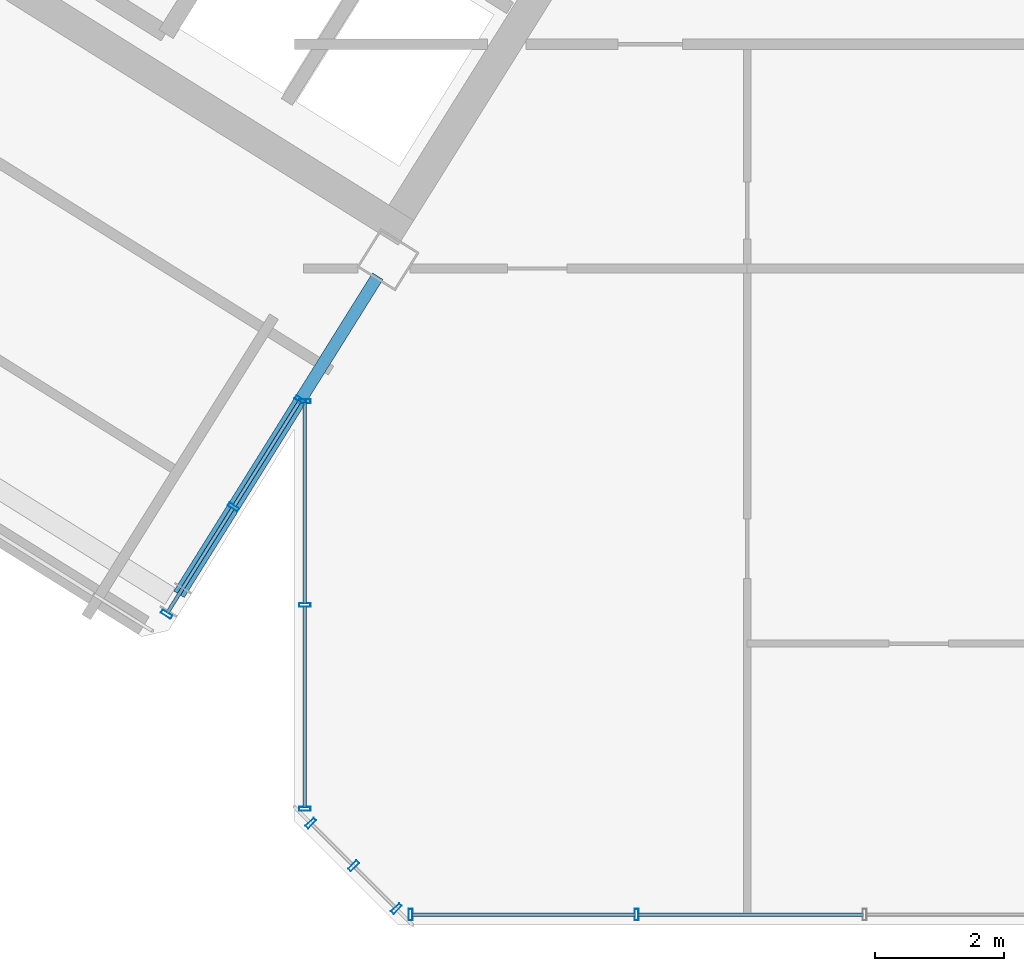
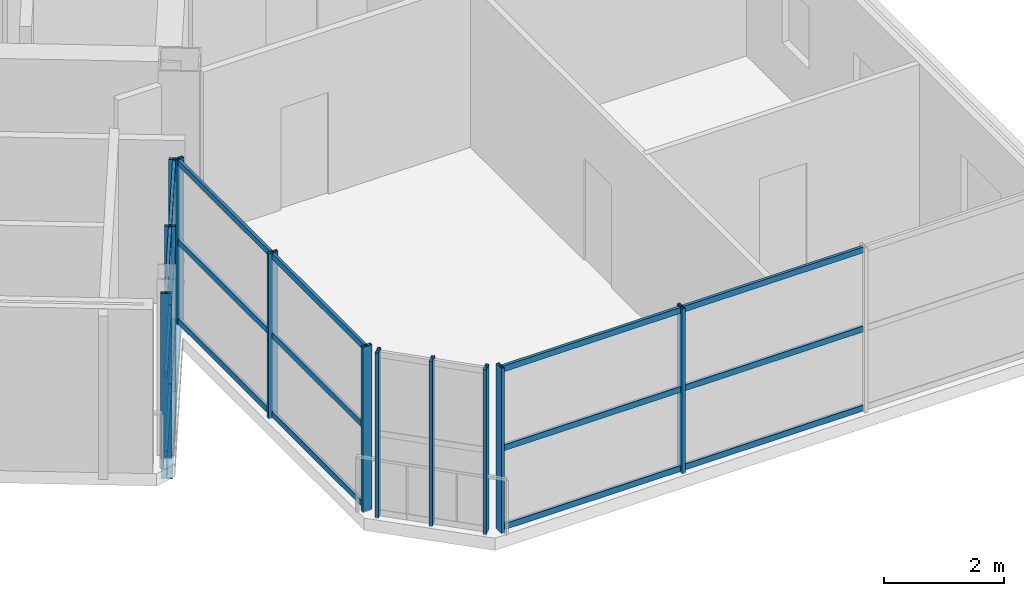
# One storey, part 2 of 14: 29 members, 1 beam, 4 elements without a shape of their own.
"""IFC4 building model written with IfcOpenShell, lengths in metres."""

import ifcopenshell
import ifcopenshell.guid

model = None  # the IFC model being written
_history = None  # IfcOwnerHistory: only IFC2X3 demands one
_inside = {}  # id of a spatial element -> (the spatial element, [elements in it])
_under = {}  # id of a project, library or spatial element -> (it, [spatial elements below it])
_declared = {}  # id of a project -> (the project, [libraries it declares])
_typed = {}  # id of a type object -> (the type object, [elements of that type])
_made_of = {}  # id of a material, layer set ... -> (it, [elements and type objects made of it])


def new_model(schema):
    """Start an empty IFC model of exactly this schema.

    Asked for "IFC4X3", IfcOpenShell would pick the latest addendum, in which some entities
    have other attributes; the version numbers below select the first issue.
    IFC2X3 requires an IfcOwnerHistory on every rooted entity: one is made here for all.
    """
    global model, _history
    if schema == "IFC4X3":
        model = ifcopenshell.file(schema_version=(4, 3, 0, 0))
    else:
        model = ifcopenshell.file(schema=schema)
    _inside.clear()
    _under.clear()
    _declared.clear()
    _typed.clear()
    _made_of.clear()
    _history = None
    if model.schema == "IFC2X3":
        org = make("IfcOrganization", Name="unknown")
        user = make(
            "IfcPersonAndOrganization",
            ThePerson=make("IfcPerson", FamilyName="unknown"),
            TheOrganization=org,
        )
        app = make(
            "IfcApplication",
            ApplicationDeveloper=org,
            Version="unknown",
            ApplicationFullName="unknown",
            ApplicationIdentifier="unknown",
        )
        _history = make(
            "IfcOwnerHistory",
            OwningUser=user,
            OwningApplication=app,
            ChangeAction="ADDED",
            CreationDate=0,
        )
    return model


def make(cls, **values):
    """One entity of the class cls with the attributes given. An attribute that is None is left unset."""
    return model.create_entity(
        cls, **{name: value for name, value in values.items() if value is not None}
    )


def rooted(cls, **values):
    """An entity with a GlobalId (a new one), such as an element, a storey or a relation."""
    return make(cls, GlobalId=ifcopenshell.guid.new(), OwnerHistory=_history, **values)


def si_unit(unit_type, name, prefix=None):
    """IfcSIUnit, for example si_unit("LENGTHUNIT", "METRE", prefix="MILLI")."""
    return make("IfcSIUnit", UnitType=unit_type, Prefix=prefix, Name=name)


def assignment(units):
    """IfcUnitAssignment: the units of a project."""
    return None if units is None else make("IfcUnitAssignment", Units=units)


def point(xyz):
    """IfcCartesianPoint."""
    return None if xyz is None else make("IfcCartesianPoint", Coordinates=xyz)


def direction(xyz):
    """IfcDirection."""
    return None if xyz is None else make("IfcDirection", DirectionRatios=xyz)


def frame(location, z_axis=None, x_axis=None):
    """IfcAxis2Placement3D, a coordinate frame: its origin and axes. An axis left out is left unset."""
    return make(
        "IfcAxis2Placement3D",
        Location=point(location),
        Axis=direction(z_axis),
        RefDirection=direction(x_axis),
    )


def frame_2d(location, x_axis=None):
    """IfcAxis2Placement2D, a coordinate frame in the plane: its origin and x axis."""
    return make(
        "IfcAxis2Placement2D", Location=point(location), RefDirection=direction(x_axis)
    )


def origin():
    """The frame at (0, 0, 0) with its axes left unset."""
    return frame((0.0, 0.0, 0.0))


def origin_2d():
    """The frame at (0, 0) in the plane with its x axis left unset."""
    return frame_2d((0.0, 0.0))


def place(relative_to, where):
    """IfcLocalPlacement: puts the frame where relative to a parent placement (None: the world)."""
    return make(
        "IfcLocalPlacement", PlacementRelTo=relative_to, RelativePlacement=where
    )


def context(
    kind, dimensions, precision=None, world=None, true_north=None, identifier=None
):
    """IfcGeometricRepresentationContext, for example the 3D "Model" context."""
    return make(
        "IfcGeometricRepresentationContext",
        ContextIdentifier=identifier,
        ContextType=kind,
        CoordinateSpaceDimension=dimensions,
        Precision=precision,
        WorldCoordinateSystem=world,
        TrueNorth=true_north,
    )


def subcontext(parent, identifier, kind, view, scale=None):
    """IfcGeometricRepresentationSubContext, for example "Body" below "Model"."""
    return make(
        "IfcGeometricRepresentationSubContext",
        ContextIdentifier=identifier,
        ContextType=kind,
        ParentContext=parent,
        TargetScale=scale,
        TargetView=view,
    )


def project(units=None, contexts=None):
    """IfcProject with its units and contexts."""
    return rooted(
        "IfcProject",
        Name="project",
        RepresentationContexts=contexts,
        UnitsInContext=assignment(units),
    )


def spatial(cls, under=None, at=None, **own):
    """A site, building, storey or space (cls), placed at a placement, below another one or the project."""
    s = rooted(cls, ObjectPlacement=at, **own)
    if under is not None:
        _under.setdefault(under.id(), (under, []))[1].append(s)
    return s


def profile(cls, at=None, kind="AREA", **sizes):
    """A parametric profile (cls). Its sizes go by their IFC names, for example OverallWidth=200.0."""
    return make(cls, ProfileType=kind, Position=at, **sizes)


def hollow_rectangle(**sizes):
    """IfcRectangleHollowProfileDef."""
    return profile("IfcRectangleHollowProfileDef", **sizes)


def i_section(**sizes):
    """IfcIShapeProfileDef."""
    return profile("IfcIShapeProfileDef", **sizes)


def extrude(swept, where, along, depth):
    """IfcExtrudedAreaSolid: the profile swept, set in the frame where, extruded along a direction by depth."""
    return make(
        "IfcExtrudedAreaSolid",
        SweptArea=swept,
        Position=where,
        ExtrudedDirection=direction(along),
        Depth=depth,
    )


def shape(context_of_items, identifier, shape_type, items):
    """IfcShapeRepresentation: the items that make up one representation, for example the "Body"."""
    return make(
        "IfcShapeRepresentation",
        ContextOfItems=context_of_items,
        RepresentationIdentifier=identifier,
        RepresentationType=shape_type,
        Items=items,
    )


def source(mapping_origin, context_of_items, identifier, shape_type, items):
    """IfcRepresentationMap: a shape defined once, which mapped items show again and again."""
    return make(
        "IfcRepresentationMap",
        MappingOrigin=mapping_origin,
        MappedRepresentation=shape(context_of_items, identifier, shape_type, items),
    )


def transform(
    local_origin,
    x_axis=None,
    y_axis=None,
    z_axis=None,
    scale=None,
    scale2=None,
    scale3=None,
    uniform=True,
):
    """IfcCartesianTransformationOperator3D, or its non-uniform kind. x_axis, y_axis, z_axis: its Axis1, 2, 3."""
    if uniform:
        return make(
            "IfcCartesianTransformationOperator3D",
            Axis1=direction(x_axis),
            Axis2=direction(y_axis),
            LocalOrigin=point(local_origin),
            Scale=scale,
            Axis3=direction(z_axis),
        )
    return make(
        "IfcCartesianTransformationOperator3DnonUniform",
        Axis1=direction(x_axis),
        Axis2=direction(y_axis),
        LocalOrigin=point(local_origin),
        Scale=scale,
        Axis3=direction(z_axis),
        Scale2=scale2,
        Scale3=scale3,
    )


def mapped(mapping_source, mapping_target):
    """IfcMappedItem: shows the shape of a source again, moved by a transform."""
    return make(
        "IfcMappedItem", MappingSource=mapping_source, MappingTarget=mapping_target
    )


def material(Name=None, Category=None):
    """IfcMaterial."""
    return make("IfcMaterial", Name=Name, Category=Category)


def material_profile(
    of_material, cross_section, Name=None, Category=None, Priority=None
):
    """IfcMaterialProfile: a cross section and its material."""
    return make(
        "IfcMaterialProfile",
        Name=Name,
        Material=of_material,
        Profile=cross_section,
        Priority=Priority,
        Category=Category,
    )


def profile_set(profiles, Name=None, composite=None):
    """IfcMaterialProfileSet."""
    return make(
        "IfcMaterialProfileSet",
        Name=Name,
        MaterialProfiles=profiles,
        CompositeProfile=composite,
    )


def made_of(thing, what):
    """Note that an element or type object is made of a material, layer set ...; save() writes the relation."""
    if what is not None:
        _made_of.setdefault(what.id(), (what, []))[1].append(thing)
    return thing


def type_object(cls, material=None, **own):
    """A type object (cls), such as IfcWallType, which elements share."""
    return made_of(rooted(cls, **own), material)


def element(
    cls,
    number,
    at=None,
    inside=None,
    cuts=None,
    type_object=None,
    material=None,
    context=None,
    identifier="Body",
    shape_type=None,
    held_by="IfcProductDefinitionShape",
    body=None,
    shapes=None,
    **own,
):
    """One element of the class cls, such as IfcWall. Its Tag is "e" and its number.

    at: its placement. inside: the storey or other place that contains it. cuts: it is an
    opening in that element (IfcRelVoidsElement). A single representation is given by context,
    identifier, shape_type and body (its items); several are given by shapes. held_by: the class
    of the entity that holds the representations. save() writes the other relations.
    """
    e = rooted(cls, Tag="e%d" % number, ObjectPlacement=at, **own)
    if body is not None:
        shapes = [shape(context, identifier, shape_type, body)]
    if shapes is not None:
        e.Representation = make(held_by, Representations=shapes)
    if inside is not None:
        _inside.setdefault(inside.id(), (inside, []))[1].append(e)
    if cuts is not None:
        rooted(
            "IfcRelVoidsElement", RelatingBuildingElement=cuts, RelatedOpeningElement=e
        )
    if type_object is not None:
        _typed.setdefault(type_object.id(), (type_object, []))[1].append(e)
    return made_of(e, material)


def aggregate(whole, parts):
    """IfcRelAggregates: a whole, such as a stair, and the parts it consists of."""
    return rooted("IfcRelAggregates", RelatingObject=whole, RelatedObjects=parts)


def save(model, path):
    """Write the relations noted so far, then the file.

    IfcRelAggregates (storeys below a building ...), IfcRelContainedInSpatialStructure (elements
    in a storey), IfcRelDefinesByType, IfcRelAssociatesMaterial and IfcRelDeclares: one each for
    every whole, place, type object, material and project.
    """
    for whole, parts in _under.values():
        aggregate(whole, parts)
    for where, things in _inside.values():
        rooted(
            "IfcRelContainedInSpatialStructure",
            RelatedElements=things,
            RelatingStructure=where,
        )
    for kind, things in _typed.values():
        rooted("IfcRelDefinesByType", RelatedObjects=things, RelatingType=kind)
    for what, things in _made_of.values():
        rooted("IfcRelAssociatesMaterial", RelatedObjects=things, RelatingMaterial=what)
    for by, libraries in _declared.values():
        rooted("IfcRelDeclares", RelatingContext=by, RelatedDefinitions=libraries)
    model.write(path)


model = new_model("IFC4")

# Units and contexts
model_context = context("Model", 3, precision=1e-05, world=origin(), true_north=direction((0.0, 1.0)))
body_context = subcontext(model_context, "Body", "Model", "MODEL_VIEW")
ifc_project = project(units=[si_unit("LENGTHUNIT", "METRE"), si_unit("AREAUNIT", "SQUARE_METRE"), si_unit("VOLUMEUNIT", "CUBIC_METRE"), si_unit("PLANEANGLEUNIT", "RADIAN"), si_unit("MASSUNIT", "GRAM", prefix="KILO")], contexts=[model_context])

# Site, building, storey
site_placement = place(None, origin())
site = spatial("IfcSite", under=ifc_project, at=site_placement, CompositionType="ELEMENT")
building_placement = place(site_placement, origin())
building = spatial("IfcBuilding", under=site, at=building_placement, Name="Tlacorven Tower", CompositionType="ELEMENT")
storey_placement = place(building_placement, frame((0.0, 0.0, 284.39990234375)))
storey = spatial("IfcBuildingStorey", under=building, at=storey_placement, Name="L72", CompositionType="ELEMENT", Elevation=284.39990234375)

# Beam
ifc_material_1 = material(Name="Steel S355J2", Category="steel")
ifc_material_profile_1 = material_profile(ifc_material_1, i_section(OverallWidth=0.18994140625, OverallDepth=0.449951171875, WebThickness=0.009521484375, FlangeThickness=0.0146484375, at=origin_2d()), Name="IPE 450")
ifc_profile_set_1 = profile_set([ifc_material_profile_1], Name="Steel S355J2")
beam_type = type_object("IfcBeamType", Name="BM-TWR-450", PredefinedType="BEAM", material=ifc_profile_set_1)
shared_shape_1 = source(origin(), body_context, "Body", "SweptSolid", [
    extrude(i_section(OverallWidth=0.18994140625, OverallDepth=0.449951171875, WebThickness=0.009521484375, FlangeThickness=0.0146484375, at=origin_2d()), origin(), (0.0, 0.0, 1.0), 5.800048828125),
])
beam_placement = place(storey_placement, frame((32.88720703125, 11.83251953125, -0.474853515625), z_axis=(-0.529911912967, -0.848052689693, 0.0), x_axis=(0.848052689693, -0.529911912967, 0.0)))
element("IfcBeam", 1, at=beam_placement, inside=storey, type_object=beam_type, Name="L72 beam BM-L72-WT1-2", PredefinedType="BEAM", context=body_context, shape_type="MappedRepresentation", body=[
    mapped(shared_shape_1, transform((0.0, 0.0, 0.0), scale=1.0)),
])

# Curtain wall, members
ifc_material_2 = material(Name="Dark solar low-E double glazing in aluminium frame", Category="aluminium")
curtain_wall_type = type_object("IfcCurtainWallType", Name="CW-TWR-HIGH", PredefinedType="USERDEFINED", material=ifc_material_2)
curtain_wall_1_placement = place(storey_placement, origin())
curtain_wall_1 = element("IfcCurtainWall", 2, at=curtain_wall_1_placement, inside=storey, type_object=curtain_wall_type, Name="L72 CW-TWR-HIGH Curtain Wall 334", ObjectType="UNITISED CURTAIN WALL", PredefinedType="USERDEFINED")
ifc_material_3 = material(Name="Aluminium 6063-T6 anodised", Category="aluminium")
ifc_material_profile_2 = material_profile(ifc_material_3, hollow_rectangle(XDim=0.06005859375, YDim=0.179931640625, WallThickness=0.00390625, at=origin_2d()), Name="ALU MULLION 60X180")
ifc_profile_set_2 = profile_set([ifc_material_profile_2], Name="Aluminium 6063-T6 anodised")
member_type_1 = type_object("IfcMemberType", Name="CWM-03", PredefinedType="MULLION", material=ifc_profile_set_2)
shared_shape_2 = source(origin(), body_context, "Body", "SweptSolid", [
    extrude(hollow_rectangle(XDim=0.06005859375, YDim=0.179931640625, WallThickness=0.00390625, at=origin_2d()), origin(), (0.0, 0.0, 1.0), 3.380126953125),
])
member_1_placement = place(storey_placement, frame((36.890869140625, 1.9599609375, -0.02001953125), z_axis=(0.0, 0.0, 1.0), x_axis=(-1.0, 0.0, 0.0)))
member_1 = element("IfcMember", 3, at=member_1_placement, type_object=member_type_1, Name="CW-L72-334 Mullion 3", PredefinedType="MULLION", context=body_context, shape_type="MappedRepresentation", body=[
    mapped(shared_shape_2, transform((0.0, 0.0, 0.0), scale=1.0)),
])
member_2_placement = place(storey_placement, frame((33.396240234375, 1.9599609375, -0.02001953125), z_axis=(0.0, 0.0, 1.0), x_axis=(-1.0, 0.0, 0.0)))
member_2 = element("IfcMember", 4, at=member_2_placement, type_object=member_type_1, Name="CW-L72-334 Mullion 4", PredefinedType="MULLION", context=body_context, shape_type="MappedRepresentation", body=[
    mapped(shared_shape_2, transform((0.0, 0.0, 0.0), scale=1.0)),
])

curtain_wall_2_placement = place(storey_placement, origin())
curtain_wall_2 = element("IfcCurtainWall", 5, at=curtain_wall_2_placement, inside=storey, type_object=curtain_wall_type, Name="L72 CW-TWR-HIGH Curtain Wall 335", ObjectType="UNITISED CURTAIN WALL", PredefinedType="USERDEFINED")
member_3_placement = place(storey_placement, frame((33.17431640625, 2.052001953125, -0.02001953125), z_axis=(0.0, 0.0, 1.0), x_axis=(-0.707106781187, 0.707106781187, 0.0)))
member_3 = element("IfcMember", 6, at=member_3_placement, type_object=member_type_1, Name="CW-L72-335 Mullion 1", PredefinedType="MULLION", context=body_context, shape_type="MappedRepresentation", body=[
    mapped(shared_shape_2, transform((0.0, 0.0, 0.0), scale=1.0)),
])
member_4_placement = place(storey_placement, frame((32.51318359375, 2.713134765625, -0.02001953125), z_axis=(0.0, 0.0, 1.0), x_axis=(-0.707106781187, 0.707106781187, 0.0)))
member_4 = element("IfcMember", 7, at=member_4_placement, type_object=member_type_1, Name="CW-L72-335 Mullion 2", PredefinedType="MULLION", context=body_context, shape_type="MappedRepresentation", body=[
    mapped(shared_shape_2, transform((0.0, 0.0, 0.0), scale=1.0)),
])
member_5_placement = place(storey_placement, frame((31.851806640625, 3.374267578125, -0.02001953125), z_axis=(0.0, 0.0, 1.0), x_axis=(-0.707106781187, 0.707106781187, 0.0)))
member_5 = element("IfcMember", 8, at=member_5_placement, type_object=member_type_1, Name="CW-L72-335 Mullion 3", PredefinedType="MULLION", context=body_context, shape_type="MappedRepresentation", body=[
    mapped(shared_shape_2, transform((0.0, 0.0, 0.0), scale=1.0)),
])
aggregate(curtain_wall_2, [member_3, member_4, member_5])

curtain_wall_3_placement = place(storey_placement, origin())
curtain_wall_3 = element("IfcCurtainWall", 9, at=curtain_wall_3_placement, inside=storey, type_object=curtain_wall_type, Name="L72 CW-TWR-HIGH Curtain Wall 336", ObjectType="UNITISED CURTAIN WALL", PredefinedType="USERDEFINED")
member_6_placement = place(storey_placement, frame((31.760009765625, 3.59619140625, -0.02001953125), z_axis=(0.0, 0.0, 1.0), x_axis=(0.0, 1.0, 0.0)))
member_6 = element("IfcMember", 10, at=member_6_placement, type_object=member_type_1, Name="CW-L72-336 Mullion 1", PredefinedType="MULLION", context=body_context, shape_type="MappedRepresentation", body=[
    mapped(shared_shape_2, transform((0.0, 0.0, 0.0), scale=1.0)),
])
member_7_placement = place(storey_placement, frame((31.760009765625, 6.74755859375, -0.02001953125), z_axis=(0.0, 0.0, 1.0), x_axis=(0.0, 1.0, 0.0)))
member_7 = element("IfcMember", 11, at=member_7_placement, type_object=member_type_1, Name="CW-L72-336 Mullion 2", PredefinedType="MULLION", context=body_context, shape_type="MappedRepresentation", body=[
    mapped(shared_shape_2, transform((0.0, 0.0, 0.0), scale=1.0)),
])
member_8_placement = place(storey_placement, frame((31.760009765625, 9.898681640625, -0.02001953125), z_axis=(0.0, 0.0, 1.0), x_axis=(0.0, 1.0, 0.0)))
member_8 = element("IfcMember", 12, at=member_8_placement, type_object=member_type_1, Name="CW-L72-336 Mullion 3", PredefinedType="MULLION", context=body_context, shape_type="MappedRepresentation", body=[
    mapped(shared_shape_2, transform((0.0, 0.0, 0.0), scale=1.0)),
])

curtain_wall_4_placement = place(storey_placement, origin())
curtain_wall_4 = element("IfcCurtainWall", 13, at=curtain_wall_4_placement, inside=storey, type_object=curtain_wall_type, Name="L72 CW-TWR-HIGH Curtain Wall 337", ObjectType="UNITISED CURTAIN WALL", PredefinedType="USERDEFINED")
member_9_placement = place(storey_placement, frame((31.691162109375, 9.91845703125, -0.02001953125), z_axis=(0.0, 0.0, 1.0), x_axis=(-0.529918710919, -0.848048441905, 0.0)))
member_9 = element("IfcMember", 14, at=member_9_placement, type_object=member_type_1, Name="CW-L72-337 Mullion 1", PredefinedType="MULLION", context=body_context, shape_type="MappedRepresentation", body=[
    mapped(shared_shape_2, transform((0.0, 0.0, 0.0), scale=1.0)),
])
member_10_placement = place(storey_placement, frame((30.656005859375, 8.261962890625, -0.02001953125), z_axis=(0.0, 0.0, 1.0), x_axis=(-0.529918710919, -0.848048441905, 0.0)))
member_10 = element("IfcMember", 15, at=member_10_placement, type_object=member_type_1, Name="CW-L72-337 Mullion 2", PredefinedType="MULLION", context=body_context, shape_type="MappedRepresentation", body=[
    mapped(shared_shape_2, transform((0.0, 0.0, 0.0), scale=1.0)),
])
member_11_placement = place(storey_placement, frame((29.620849609375, 6.605224609375, -0.02001953125), z_axis=(0.0, 0.0, 1.0), x_axis=(-0.529918710919, -0.848048441905, 0.0)))
member_11 = element("IfcMember", 16, at=member_11_placement, type_object=member_type_1, Name="CW-L72-337 Mullion 3", PredefinedType="MULLION", context=body_context, shape_type="MappedRepresentation", body=[
    mapped(shared_shape_2, transform((0.0, 0.0, 0.0), scale=1.0)),
])

# Member
ifc_material_profile_3 = material_profile(ifc_material_3, hollow_rectangle(XDim=0.054931640625, YDim=0.1201171875, WallThickness=0.00341796875, at=origin_2d()), Name="ALU TRANSOM 55X120")
ifc_profile_set_3 = profile_set([ifc_material_profile_3], Name="Aluminium 6063-T6 anodised")
member_type_2 = type_object("IfcMemberType", Name="CWT-03", PredefinedType="USERDEFINED", material=ifc_profile_set_3)
shared_shape_3 = source(origin(), body_context, "Body", "SweptSolid", [
    extrude(hollow_rectangle(XDim=0.054931640625, YDim=0.1201171875, WallThickness=0.00341796875, at=origin_2d()), origin(), (0.0, 0.0, 1.0), 3.115234375),
])
member_12_placement = place(storey_placement, frame((31.760009765625, 3.6142578125, 0.06005859375), z_axis=(0.0, 1.0, 0.0), x_axis=(-1.0, 0.0, 0.0)))
member_12 = element("IfcMember", 17, at=member_12_placement, type_object=member_type_2, Name="CW-L72-336 Transom 1", ObjectType="TRANSOM", PredefinedType="USERDEFINED", context=body_context, shape_type="MappedRepresentation", body=[
    mapped(shared_shape_3, transform((0.0, 0.0, 0.0), scale=1.0)),
])

member_13_placement = place(storey_placement, frame((31.760009765625, 3.6142578125, 1.675048828125), z_axis=(0.0, 1.0, 0.0), x_axis=(-1.0, 0.0, 0.0)))
member_13 = element("IfcMember", 18, at=member_13_placement, type_object=member_type_2, Name="CW-L72-336 Transom 2", ObjectType="TRANSOM", PredefinedType="USERDEFINED", context=body_context, shape_type="MappedRepresentation", body=[
    mapped(shared_shape_3, transform((0.0, 0.0, 0.0), scale=1.0)),
])

member_14_placement = place(storey_placement, frame((31.760009765625, 3.6142578125, 3.2900390625), z_axis=(0.0, 1.0, 0.0), x_axis=(-1.0, 0.0, 0.0)))
member_14 = element("IfcMember", 19, at=member_14_placement, type_object=member_type_2, Name="CW-L72-336 Transom 3", ObjectType="TRANSOM", PredefinedType="USERDEFINED", context=body_context, shape_type="MappedRepresentation", body=[
    mapped(shared_shape_3, transform((0.0, 0.0, 0.0), scale=1.0)),
])

member_15_placement = place(storey_placement, frame((31.760009765625, 6.765380859375, 0.06005859375), z_axis=(0.0, 1.0, 0.0), x_axis=(-1.0, 0.0, 0.0)))
member_15 = element("IfcMember", 20, at=member_15_placement, type_object=member_type_2, Name="CW-L72-336 Transom 4", ObjectType="TRANSOM", PredefinedType="USERDEFINED", context=body_context, shape_type="MappedRepresentation", body=[
    mapped(shared_shape_3, transform((0.0, 0.0, 0.0), scale=1.0)),
])

member_16_placement = place(storey_placement, frame((31.760009765625, 6.765380859375, 1.675048828125), z_axis=(0.0, 1.0, 0.0), x_axis=(-1.0, 0.0, 0.0)))
member_16 = element("IfcMember", 21, at=member_16_placement, type_object=member_type_2, Name="CW-L72-336 Transom 5", ObjectType="TRANSOM", PredefinedType="USERDEFINED", context=body_context, shape_type="MappedRepresentation", body=[
    mapped(shared_shape_3, transform((0.0, 0.0, 0.0), scale=1.0)),
])

member_17_placement = place(storey_placement, frame((31.760009765625, 6.765380859375, 3.2900390625), z_axis=(0.0, 1.0, 0.0), x_axis=(-1.0, 0.0, 0.0)))
member_17 = element("IfcMember", 22, at=member_17_placement, type_object=member_type_2, Name="CW-L72-336 Transom 6", ObjectType="TRANSOM", PredefinedType="USERDEFINED", context=body_context, shape_type="MappedRepresentation", body=[
    mapped(shared_shape_3, transform((0.0, 0.0, 0.0), scale=1.0)),
])

aggregate(curtain_wall_3, [member_6, member_7, member_8, member_12, member_13, member_14, member_15, member_16, member_17])

shared_shape_4 = source(origin(), body_context, "Body", "SweptSolid", [
    extrude(hollow_rectangle(XDim=0.054931640625, YDim=0.1201171875, WallThickness=0.00341796875, at=origin_2d()), origin(), (0.0, 0.0, 1.0), 1.91748046875),
])
member_18_placement = place(storey_placement, frame((31.681640625, 9.903076171875, 0.06005859375), z_axis=(-0.529953157166, -0.84802691656, 0.0), x_axis=(0.84802691656, -0.529953157166, 0.0)))
member_18 = element("IfcMember", 23, at=member_18_placement, type_object=member_type_2, Name="CW-L72-337 Transom 1", ObjectType="TRANSOM", PredefinedType="USERDEFINED", context=body_context, shape_type="MappedRepresentation", body=[
    mapped(shared_shape_4, transform((0.0, 0.0, 0.0), scale=1.0)),
])

member_19_placement = place(storey_placement, frame((31.681640625, 9.903076171875, 1.675048828125), z_axis=(-0.529953157166, -0.84802691656, 0.0), x_axis=(0.84802691656, -0.529953157166, 0.0)))
member_19 = element("IfcMember", 24, at=member_19_placement, type_object=member_type_2, Name="CW-L72-337 Transom 2", ObjectType="TRANSOM", PredefinedType="USERDEFINED", context=body_context, shape_type="MappedRepresentation", body=[
    mapped(shared_shape_4, transform((0.0, 0.0, 0.0), scale=1.0)),
])

member_20_placement = place(storey_placement, frame((31.681640625, 9.903076171875, 3.2900390625), z_axis=(-0.529953157166, -0.84802691656, 0.0), x_axis=(0.84802691656, -0.529953157166, 0.0)))
member_20 = element("IfcMember", 25, at=member_20_placement, type_object=member_type_2, Name="CW-L72-337 Transom 3", ObjectType="TRANSOM", PredefinedType="USERDEFINED", context=body_context, shape_type="MappedRepresentation", body=[
    mapped(shared_shape_4, transform((0.0, 0.0, 0.0), scale=1.0)),
])

member_21_placement = place(storey_placement, frame((30.646484375, 8.24658203125, 0.06005859375), z_axis=(-0.529953157166, -0.84802691656, 0.0), x_axis=(0.84802691656, -0.529953157166, 0.0)))
member_21 = element("IfcMember", 26, at=member_21_placement, type_object=member_type_2, Name="CW-L72-337 Transom 4", ObjectType="TRANSOM", PredefinedType="USERDEFINED", context=body_context, shape_type="MappedRepresentation", body=[
    mapped(shared_shape_4, transform((0.0, 0.0, 0.0), scale=1.0)),
])

member_22_placement = place(storey_placement, frame((30.646484375, 8.24658203125, 1.675048828125), z_axis=(-0.529953157166, -0.84802691656, 0.0), x_axis=(0.84802691656, -0.529953157166, 0.0)))
member_22 = element("IfcMember", 27, at=member_22_placement, type_object=member_type_2, Name="CW-L72-337 Transom 5", ObjectType="TRANSOM", PredefinedType="USERDEFINED", context=body_context, shape_type="MappedRepresentation", body=[
    mapped(shared_shape_4, transform((0.0, 0.0, 0.0), scale=1.0)),
])

member_23_placement = place(storey_placement, frame((30.646484375, 8.24658203125, 3.2900390625), z_axis=(-0.529953157166, -0.84802691656, 0.0), x_axis=(0.84802691656, -0.529953157166, 0.0)))
member_23 = element("IfcMember", 28, at=member_23_placement, type_object=member_type_2, Name="CW-L72-337 Transom 6", ObjectType="TRANSOM", PredefinedType="USERDEFINED", context=body_context, shape_type="MappedRepresentation", body=[
    mapped(shared_shape_4, transform((0.0, 0.0, 0.0), scale=1.0)),
])

aggregate(curtain_wall_4, [member_9, member_10, member_11, member_18, member_19, member_20, member_21, member_22, member_23])

shared_shape_5 = source(origin(), body_context, "Body", "SweptSolid", [
    extrude(hollow_rectangle(XDim=0.054931640625, YDim=0.1201171875, WallThickness=0.00341796875, at=origin_2d()), origin(), (0.0, 0.0, 1.0), 3.488525390625),
])
member_24_placement = place(storey_placement, frame((40.3974609375, 1.9599609375, 0.06005859375), z_axis=(-1.0, 0.0, 0.0), x_axis=(0.0, -1.0, 0.0)))
member_24 = element("IfcMember", 29, at=member_24_placement, type_object=member_type_2, Name="CW-L72-334 Transom 4", ObjectType="TRANSOM", PredefinedType="USERDEFINED", context=body_context, shape_type="MappedRepresentation", body=[
    mapped(shared_shape_5, transform((0.0, 0.0, 0.0), scale=1.0)),
])

member_25_placement = place(storey_placement, frame((40.3974609375, 1.9599609375, 1.675048828125), z_axis=(-1.0, 0.0, 0.0), x_axis=(0.0, -1.0, 0.0)))
member_25 = element("IfcMember", 30, at=member_25_placement, type_object=member_type_2, Name="CW-L72-334 Transom 5", ObjectType="TRANSOM", PredefinedType="USERDEFINED", context=body_context, shape_type="MappedRepresentation", body=[
    mapped(shared_shape_5, transform((0.0, 0.0, 0.0), scale=1.0)),
])

member_26_placement = place(storey_placement, frame((40.3974609375, 1.9599609375, 3.2900390625), z_axis=(-1.0, 0.0, 0.0), x_axis=(0.0, -1.0, 0.0)))
member_26 = element("IfcMember", 31, at=member_26_placement, type_object=member_type_2, Name="CW-L72-334 Transom 6", ObjectType="TRANSOM", PredefinedType="USERDEFINED", context=body_context, shape_type="MappedRepresentation", body=[
    mapped(shared_shape_5, transform((0.0, 0.0, 0.0), scale=1.0)),
])

shared_shape_6 = source(origin(), body_context, "Body", "SweptSolid", [
    extrude(hollow_rectangle(XDim=0.054931640625, YDim=0.1201171875, WallThickness=0.00341796875, at=origin_2d()), origin(), (0.0, 0.0, 1.0), 3.45849609375),
])
member_27_placement = place(storey_placement, frame((36.872802734375, 1.9599609375, 0.06005859375), z_axis=(-1.0, 0.0, 0.0), x_axis=(0.0, -1.0, 0.0)))
member_27 = element("IfcMember", 32, at=member_27_placement, type_object=member_type_2, Name="CW-L72-334 Transom 7", ObjectType="TRANSOM", PredefinedType="USERDEFINED", context=body_context, shape_type="MappedRepresentation", body=[
    mapped(shared_shape_6, transform((0.0, 0.0, 0.0), scale=1.0)),
])

member_28_placement = place(storey_placement, frame((36.872802734375, 1.9599609375, 1.675048828125), z_axis=(-1.0, 0.0, 0.0), x_axis=(0.0, -1.0, 0.0)))
member_28 = element("IfcMember", 33, at=member_28_placement, type_object=member_type_2, Name="CW-L72-334 Transom 8", ObjectType="TRANSOM", PredefinedType="USERDEFINED", context=body_context, shape_type="MappedRepresentation", body=[
    mapped(shared_shape_6, transform((0.0, 0.0, 0.0), scale=1.0)),
])

member_29_placement = place(storey_placement, frame((36.872802734375, 1.9599609375, 3.2900390625), z_axis=(-1.0, 0.0, 0.0), x_axis=(0.0, -1.0, 0.0)))
member_29 = element("IfcMember", 34, at=member_29_placement, type_object=member_type_2, Name="CW-L72-334 Transom 9", ObjectType="TRANSOM", PredefinedType="USERDEFINED", context=body_context, shape_type="MappedRepresentation", body=[
    mapped(shared_shape_6, transform((0.0, 0.0, 0.0), scale=1.0)),
])

aggregate(curtain_wall_1, [member_1, member_2, member_24, member_25, member_26, member_27, member_28, member_29])

save(model, "model.ifc")
